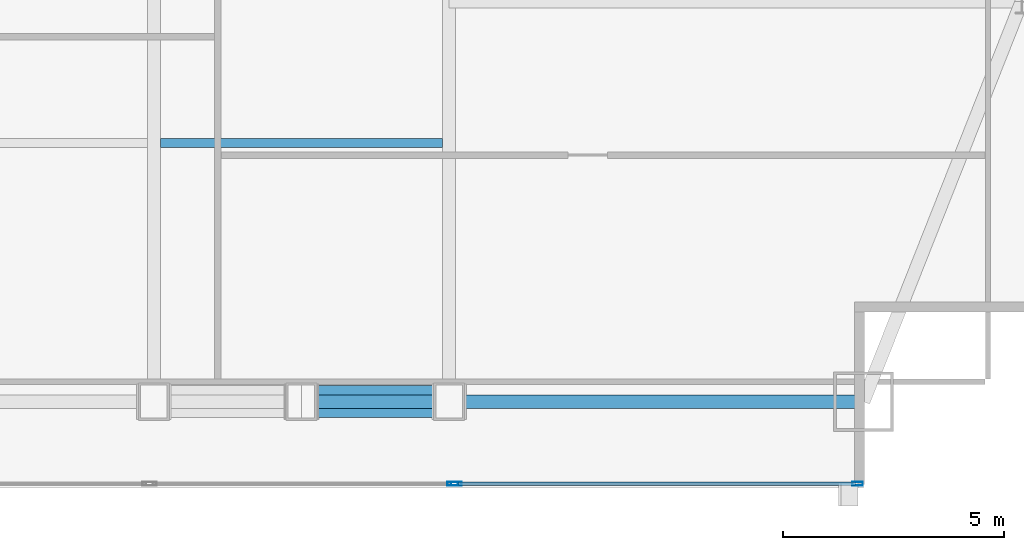
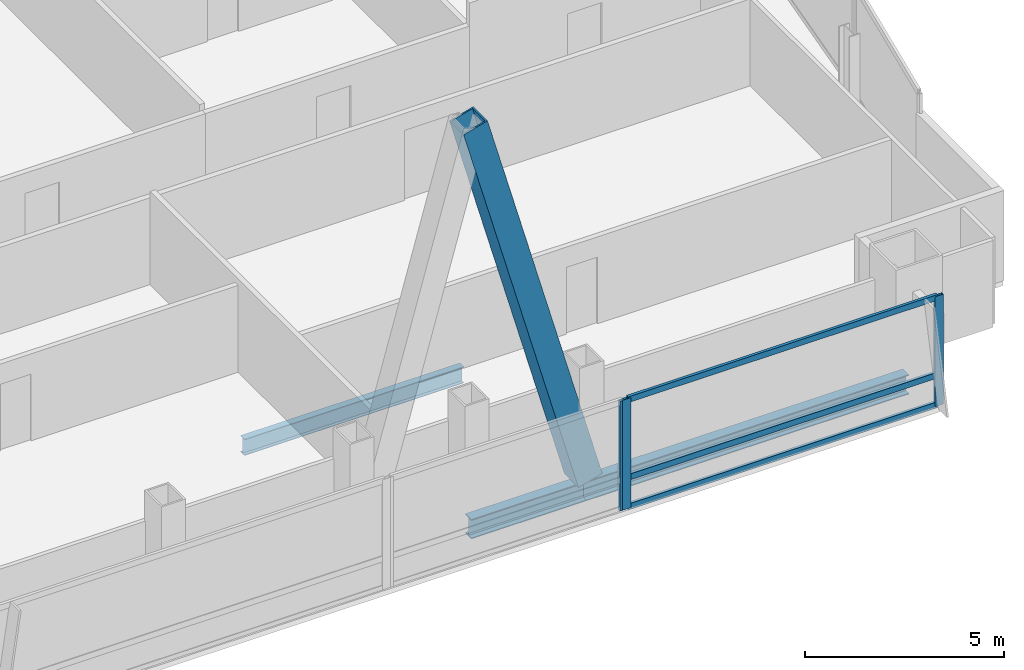
# One storey, part 16 of 31: 7 members, 3 beams, 2 elements without a shape of their own.
"""IFC4 building model written with IfcOpenShell, lengths in metres."""

from ifc_helpers import new_model, si_unit, direction, frame, origin, origin_2d, place, context, subcontext, project, spatial, hollow_rectangle, i_section, extrude, material, material_profile, profile_set, type_object, element, aggregate, save


model = new_model("IFC4")

# Units and contexts
model_context = context("Model", 3, precision=1e-05, world=origin(), true_north=direction((0.0, 1.0)))
body_context = subcontext(model_context, "Body", "Model", "MODEL_VIEW")
ifc_project = project(units=[si_unit("LENGTHUNIT", "METRE"), si_unit("AREAUNIT", "SQUARE_METRE"), si_unit("VOLUMEUNIT", "CUBIC_METRE"), si_unit("PLANEANGLEUNIT", "RADIAN"), si_unit("MASSUNIT", "GRAM", prefix="KILO")], contexts=[model_context])

# Site, building, storey
site_placement = place(None, origin())
site = spatial("IfcSite", under=ifc_project, at=site_placement, CompositionType="ELEMENT")
building_placement = place(site_placement, origin())
building = spatial("IfcBuilding", under=site, at=building_placement, Name="Khoronbel Lancet Exchange", CompositionType="ELEMENT")
storey_placement = place(building_placement, frame((0.0, 0.0, 168.60009765625)))
storey = spatial("IfcBuildingStorey", under=building, at=storey_placement, Name="L42", CompositionType="ELEMENT", Elevation=168.60009765625)

# Beams
ifc_material_1 = material(Name="Steel S355", Category="steel")
ifc_material_profile_1 = material_profile(ifc_material_1, i_section(OverallWidth=0.199951171875, OverallDepth=0.5, WebThickness=0.01025390625, FlangeThickness=0.01611328125, at=origin_2d()), Name="IPE 500")
ifc_profile_set_1 = profile_set([ifc_material_profile_1], Name="Steel S355")
beam_type_1 = type_object("IfcBeamType", Name="BM-BJ3", PredefinedType="JOIST", material=ifc_profile_set_1)
beam_1_placement = place(storey_placement, frame((48.14990234375, 16.0, -0.41015625), z_axis=(1.0, 0.0, 0.0), x_axis=(0.0, 1.0, 0.0)))
element("IfcBeam", 1, at=beam_1_placement, inside=storey, type_object=beam_type_1, Name="Level L42 secondary composite joist J05", PredefinedType="JOIST", context=body_context, shape_type="SweptSolid", body=[
    extrude(i_section(OverallWidth=0.199951171875, OverallDepth=0.5, WebThickness=0.01025390625, FlangeThickness=0.01611328125, at=origin_2d()), origin(), (0.0, 0.0, 1.0), 6.375),
])
ifc_material_profile_2 = material_profile(ifc_material_1, i_section(OverallWidth=0.300048828125, OverallDepth=0.60009765625, WebThickness=0.015380859375, FlangeThickness=0.030029296875, at=origin_2d()), Name="HEB 600")
ifc_profile_set_2 = profile_set([ifc_material_profile_2], Name="Steel S355")
beam_type_2 = type_object("IfcBeamType", Name="BM-BSP2", PredefinedType="SPANDREL", material=ifc_profile_set_2)
beam_2_placement = place(storey_placement, frame((51.33740234375, 10.14990234375, -0.460205078125), z_axis=(1.0, 0.0, 0.0), x_axis=(0.0, 1.0, 0.0)))
element("IfcBeam", 2, at=beam_2_placement, inside=storey, type_object=beam_type_2, Name="Level L42 perimeter spandrel beam SP08", PredefinedType="SPANDREL", context=body_context, shape_type="SweptSolid", body=[
    extrude(i_section(OverallWidth=0.300048828125, OverallDepth=0.60009765625, WebThickness=0.015380859375, FlangeThickness=0.030029296875, at=origin_2d()), origin(), (0.0, 0.0, 1.0), 3.337646484375),
])
beam_3_placement = place(storey_placement, frame((54.675048828125, 10.14990234375, -0.460205078125), z_axis=(1.0, 0.0, 0.0), x_axis=(0.0, 1.0, 0.0)))
element("IfcBeam", 3, at=beam_3_placement, inside=storey, type_object=beam_type_2, Name="Level L42 perimeter spandrel beam SP09", PredefinedType="SPANDREL", context=body_context, shape_type="SweptSolid", body=[
    extrude(i_section(OverallWidth=0.300048828125, OverallDepth=0.60009765625, WebThickness=0.015380859375, FlangeThickness=0.030029296875, at=origin_2d()), origin(), (0.0, 0.0, 1.0), 9.375),
])

# Curtain wall, member
ifc_material_2 = material(Name="Low-E Solar Control Insulating Glass", Category="glass")
curtain_wall_type = type_object("IfcCurtainWallType", Name="CW-3", PredefinedType="NOTDEFINED", material=ifc_material_2)
curtain_wall_1_placement = place(storey_placement, origin())
curtain_wall_1 = element("IfcCurtainWall", 4, at=curtain_wall_1_placement, inside=storey, type_object=curtain_wall_type, Name="Unitised curtain wall CW-L42-SEB", PredefinedType="NOTDEFINED")
ifc_material_3 = material(Name="Bronze-Anodised Aluminium 6063-T6", Category="aluminium")
ifc_material_profile_3 = material_profile(ifc_material_3, hollow_rectangle(XDim=0.0849609375, YDim=0.239990234375, WallThickness=0.006103515625, at=origin_2d()), Name="ALU MULLION 85x240")
ifc_profile_set_3 = profile_set([ifc_material_profile_3], Name="Bronze-Anodised Aluminium 6063-T6")
member_type_1 = type_object("IfcMemberType", Name="MEM-CWM1", PredefinedType="MULLION", material=ifc_profile_set_3)
member_1_placement = place(storey_placement, frame((54.757568359375, 8.2900390625, 0.0), z_axis=(0.0, 0.0, 1.0), x_axis=(0.0, 1.0, 0.0)))
member_1 = element("IfcMember", 5, at=member_1_placement, type_object=member_type_1, Name="CW3 mullion 2", PredefinedType="MULLION", context=body_context, shape_type="SweptSolid", body=[
    extrude(hollow_rectangle(XDim=0.0849609375, YDim=0.239990234375, WallThickness=0.006103515625, at=origin_2d()), origin(), (0.0, 0.0, 1.0), 3.3798828125),
])
aggregate(curtain_wall_1, [member_1])

# Curtain wall, members
curtain_wall_2_placement = place(storey_placement, origin())
curtain_wall_2 = element("IfcCurtainWall", 6, at=curtain_wall_2_placement, inside=storey, type_object=curtain_wall_type, Name="Unitised curtain wall CW-L42-SEV", PredefinedType="NOTDEFINED")
member_2_placement = place(storey_placement, frame((54.842529296875, 8.2900390625, 0.0), z_axis=(0.0, 0.0, 1.0), x_axis=(0.0, 1.0, 0.0)))
member_2 = element("IfcMember", 7, at=member_2_placement, type_object=member_type_1, Name="CW3 mullion 1", PredefinedType="MULLION", context=body_context, shape_type="SweptSolid", body=[
    extrude(hollow_rectangle(XDim=0.0849609375, YDim=0.239990234375, WallThickness=0.006103515625, at=origin_2d()), origin(), (0.0, 0.0, 1.0), 3.3798828125),
])
member_3_placement = place(storey_placement, frame((63.91748046875, 8.2900390625, 0.0), z_axis=(0.0, 0.0, 1.0), x_axis=(0.0, 1.0, 0.0)))
member_3 = element("IfcMember", 8, at=member_3_placement, type_object=member_type_1, Name="CW3 mullion 2", PredefinedType="MULLION", context=body_context, shape_type="SweptSolid", body=[
    extrude(hollow_rectangle(XDim=0.0849609375, YDim=0.239990234375, WallThickness=0.006103515625, at=origin_2d()), origin(), (0.0, 0.0, 1.0), 3.3798828125),
])
ifc_material_profile_4 = material_profile(ifc_material_3, hollow_rectangle(XDim=0.0849609375, YDim=0.179931640625, WallThickness=0.0048828125, at=origin_2d()), Name="ALU TRANSOM 85x180")
ifc_profile_set_4 = profile_set([ifc_material_profile_4], Name="Bronze-Anodised Aluminium 6063-T6")
member_type_2 = type_object("IfcMemberType", Name="MEM-CWT1", PredefinedType="USERDEFINED", material=ifc_profile_set_4)
member_4_placement = place(storey_placement, frame((54.885009765625, 8.2900390625, 0.04248046875), z_axis=(1.0, 0.0, 0.0), x_axis=(0.0, 1.0, 0.0)))
member_4 = element("IfcMember", 9, at=member_4_placement, type_object=member_type_2, Name="CW3 transom 1.1", ObjectType="TRANSOM", PredefinedType="USERDEFINED", context=body_context, shape_type="SweptSolid", body=[
    extrude(hollow_rectangle(XDim=0.0849609375, YDim=0.179931640625, WallThickness=0.0048828125, at=origin_2d()), origin(), (0.0, 0.0, 1.0), 8.989990234375),
])
member_5_placement = place(storey_placement, frame((54.885009765625, 8.2900390625, 0.949951171875), z_axis=(1.0, 0.0, 0.0), x_axis=(0.0, 1.0, 0.0)))
member_5 = element("IfcMember", 10, at=member_5_placement, type_object=member_type_2, Name="CW3 transom 1.2", ObjectType="TRANSOM", PredefinedType="USERDEFINED", context=body_context, shape_type="SweptSolid", body=[
    extrude(hollow_rectangle(XDim=0.0849609375, YDim=0.179931640625, WallThickness=0.0048828125, at=origin_2d()), origin(), (0.0, 0.0, 1.0), 8.989990234375),
])
member_6_placement = place(storey_placement, frame((54.885009765625, 8.2900390625, 3.33740234375), z_axis=(1.0, 0.0, 0.0), x_axis=(0.0, 1.0, 0.0)))
member_6 = element("IfcMember", 11, at=member_6_placement, type_object=member_type_2, Name="CW3 transom 1.3", ObjectType="TRANSOM", PredefinedType="USERDEFINED", context=body_context, shape_type="SweptSolid", body=[
    extrude(hollow_rectangle(XDim=0.0849609375, YDim=0.179931640625, WallThickness=0.0048828125, at=origin_2d()), origin(), (0.0, 0.0, 1.0), 8.989990234375),
])
aggregate(curtain_wall_2, [member_2, member_3, member_4, member_5, member_6])

# Member
ifc_material_4 = material(Name="Steel S460", Category="steel")
ifc_material_profile_5 = material_profile(ifc_material_4, hollow_rectangle(XDim=0.719970703125, YDim=0.719970703125, WallThickness=0.050048828125, at=origin_2d()), Name="BOX 720x720x50")
ifc_profile_set_5 = profile_set([ifc_material_profile_5], Name="Steel S460")
member_type_3 = type_object("IfcMemberType", Name="MEM-MB2", PredefinedType="BRACE", material=ifc_profile_set_5)
member_7_placement = place(storey_placement, frame((54.675048828125, 10.14990234375, 0.0), z_axis=(-0.267965327822, 0.0, 0.963428556295), x_axis=(0.0, -1.0, 0.0)))
element("IfcMember", 12, at=member_7_placement, inside=storey, type_object=member_type_3, Name="Perimeter lancet brace tier 14 S-E-R", PredefinedType="BRACE", context=body_context, shape_type="SweptSolid", body=[
    extrude(hollow_rectangle(XDim=0.719970703125, YDim=0.719970703125, WallThickness=0.050048828125, at=origin_2d()), origin(), (0.0, 0.0, 1.0), 12.45556640625),
])

save(model, "model.ifc")
